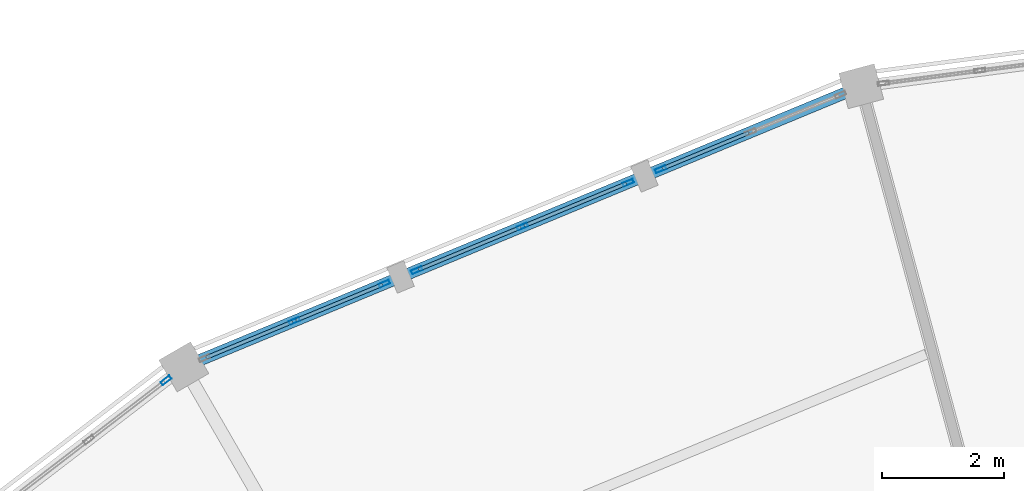
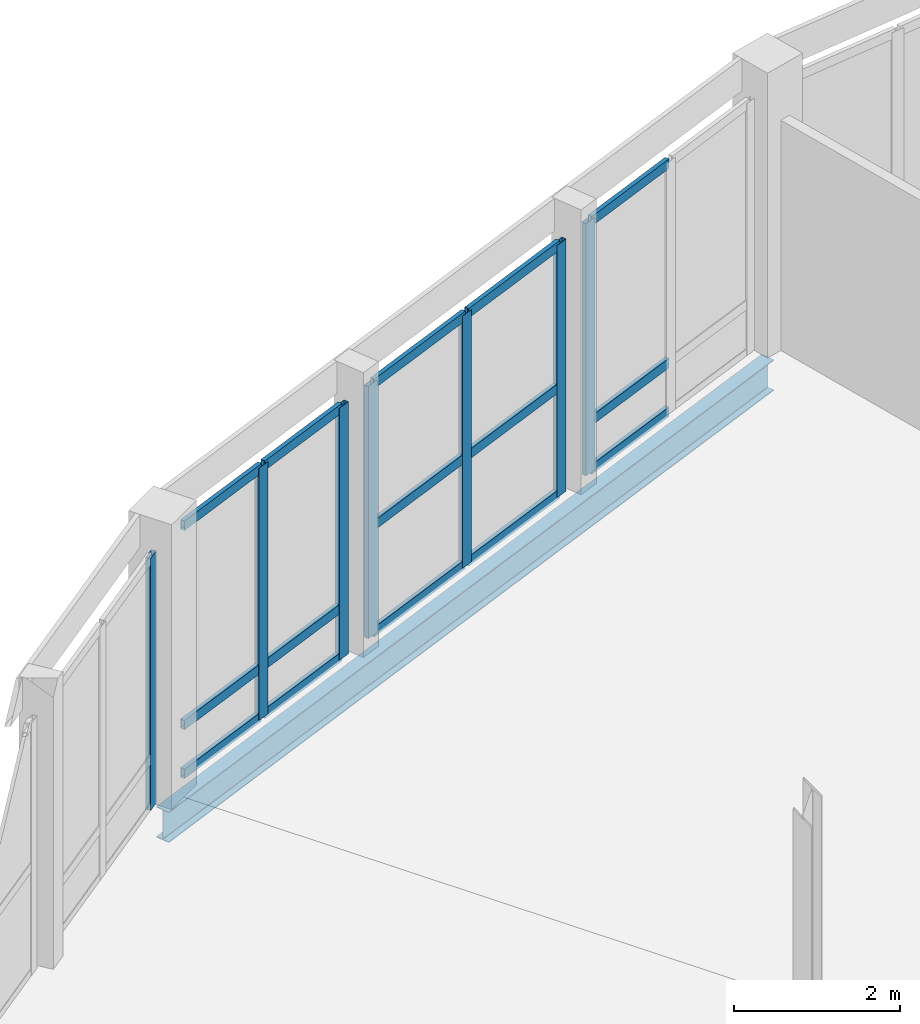
# One storey, part 87 of 185: 22 members, 1 beam, 4 elements without a shape of their own.
"""IFC4 building model written with IfcOpenShell, lengths in metres."""

from ifc_helpers import new_model, si_unit, direction, frame, origin, origin_2d, place, context, subcontext, project, spatial, hollow_rectangle, i_section, extrude, material, material_profile, profile_set, type_object, element, aggregate, save


model = new_model("IFC4")

# Units and contexts
model_context = context("Model", 3, precision=1e-05, world=origin(), true_north=direction((0.0, 1.0)))
body_context = subcontext(model_context, "Body", "Model", "MODEL_VIEW")
ifc_project = project(units=[si_unit("LENGTHUNIT", "METRE"), si_unit("AREAUNIT", "SQUARE_METRE"), si_unit("VOLUMEUNIT", "CUBIC_METRE"), si_unit("PLANEANGLEUNIT", "RADIAN"), si_unit("MASSUNIT", "GRAM", prefix="KILO")], contexts=[model_context])

# Site, building, storey
site_placement = place(None, origin())
site = spatial("IfcSite", under=ifc_project, at=site_placement, CompositionType="ELEMENT")
building_placement = place(site_placement, origin())
building = spatial("IfcBuilding", under=site, at=building_placement, Name="Vondelvale Polytechnic", CompositionType="ELEMENT")
storey_placement = place(building_placement, frame((0.0, 0.0, 9.60009765625)))
storey = spatial("IfcBuildingStorey", under=building, at=storey_placement, Name="L02", CompositionType="ELEMENT", Elevation=9.60009765625)

# Beam
ifc_material_1 = material(Name="Steel 300PLUS (fy = 300 MPa)", Category="steel")
ifc_material_profile_1 = material_profile(ifc_material_1, i_section(OverallWidth=0.18994140625, OverallDepth=0.45703125, WebThickness=0.009033203125, FlangeThickness=0.014404296875, FilletRadius=0.011474609375, at=origin_2d()), Name="460UB74.6")
ifc_profile_set_1 = profile_set([ifc_material_profile_1], Name="Steel 300PLUS (fy = 300 MPa)")
beam_type = type_object("IfcBeamType", Name="BM-UB460", PredefinedType="BEAM", material=ifc_profile_set_1)
beam_placement = place(storey_placement, frame((90.09423828125, 116.4326171875, -0.508544921875), z_axis=(-0.923877323614, -0.382688765072, 0.0), x_axis=(0.382688765072, -0.923877323614, 0.0)))
element("IfcBeam", 1, at=beam_placement, inside=storey, type_object=beam_type, Name="L02 RB B-13", PredefinedType="BEAM", context=body_context, shape_type="SweptSolid", body=[
    extrude(i_section(OverallWidth=0.18994140625, OverallDepth=0.45703125, WebThickness=0.009033203125, FlangeThickness=0.014404296875, FilletRadius=0.011474609375, at=origin_2d()), origin(), (0.0, 0.0, 1.0), 12.00830078125),
])

# Curtain wall, member
ifc_material_2 = material(Name="Glulam GL18 structural Tasmanian oak (fb = 42 MPa)", Category="wood")
curtain_wall_type = type_object("IfcCurtainWallType", Name="CW-RING-OUTER", PredefinedType="NOTDEFINED", material=ifc_material_2)
curtain_wall_1_placement = place(storey_placement, origin())
curtain_wall_1 = element("IfcCurtainWall", 2, at=curtain_wall_1_placement, inside=storey, type_object=curtain_wall_type, Name="L02 architectural curtain wall CW-04-180", PredefinedType="NOTDEFINED")
ifc_material_3 = material(Name="Anodised extruded aluminium 6063-T6", Category="aluminium")
ifc_material_profile_2 = material_profile(ifc_material_3, hollow_rectangle(XDim=0.06494140625, YDim=0.179931640625, WallThickness=0.00390625, at=origin_2d()), Name="CW-MUL-180x65")
ifc_profile_set_2 = profile_set([ifc_material_profile_2], Name="Anodised extruded aluminium 6063-T6")
member_type_1 = type_object("IfcMemberType", Name="CW-MUL-65x180", PredefinedType="MULLION", material=ifc_profile_set_2)
member_1_placement = place(storey_placement, frame((86.809814453125, 115.072021484375, 0.0), z_axis=(0.0, 0.0, 1.0), x_axis=(0.382677394529, -0.923882033442, 0.0)))
member_1 = element("IfcMember", 3, at=member_1_placement, type_object=member_type_1, Name="CW-04-180 mullion 3", PredefinedType="MULLION", context=body_context, shape_type="SweptSolid", body=[
    extrude(hollow_rectangle(XDim=0.06494140625, YDim=0.179931640625, WallThickness=0.00390625, at=origin_2d()), origin(), (0.0, 0.0, 1.0), 3.719970703125),
])

# Curtain wall, members
curtain_wall_2_placement = place(storey_placement, origin())
curtain_wall_2 = element("IfcCurtainWall", 4, at=curtain_wall_2_placement, inside=storey, type_object=curtain_wall_type, Name="L02 architectural curtain wall CW-04-181", PredefinedType="NOTDEFINED")
member_2_placement = place(storey_placement, frame((86.278564453125, 114.85205078125, 0.0), z_axis=(0.0, 0.0, 1.0), x_axis=(0.382694599123, -0.92387490701, 0.0)))
member_2 = element("IfcMember", 5, at=member_2_placement, type_object=member_type_1, Name="CW-04-181 mullion 1", PredefinedType="MULLION", context=body_context, shape_type="SweptSolid", body=[
    extrude(hollow_rectangle(XDim=0.06494140625, YDim=0.179931640625, WallThickness=0.00390625, at=origin_2d()), origin(), (0.0, 0.0, 1.0), 3.719970703125),
])
member_3_placement = place(storey_placement, frame((84.547119140625, 114.135009765625, 0.0), z_axis=(0.0, 0.0, 1.0), x_axis=(0.382694599123, -0.92387490701, 0.0)))
member_3 = element("IfcMember", 6, at=member_3_placement, type_object=member_type_1, Name="CW-04-181 mullion 2", PredefinedType="MULLION", context=body_context, shape_type="SweptSolid", body=[
    extrude(hollow_rectangle(XDim=0.06494140625, YDim=0.179931640625, WallThickness=0.00390625, at=origin_2d()), origin(), (0.0, 0.0, 1.0), 3.719970703125),
])
member_4_placement = place(storey_placement, frame((82.81591796875, 113.417724609375, 0.0), z_axis=(0.0, 0.0, 1.0), x_axis=(0.382694599123, -0.92387490701, 0.0)))
member_4 = element("IfcMember", 7, at=member_4_placement, type_object=member_type_1, Name="CW-04-181 mullion 3", PredefinedType="MULLION", context=body_context, shape_type="SweptSolid", body=[
    extrude(hollow_rectangle(XDim=0.06494140625, YDim=0.179931640625, WallThickness=0.00390625, at=origin_2d()), origin(), (0.0, 0.0, 1.0), 3.719970703125),
])

curtain_wall_3_placement = place(storey_placement, origin())
curtain_wall_3 = element("IfcCurtainWall", 8, at=curtain_wall_3_placement, inside=storey, type_object=curtain_wall_type, Name="L02 architectural curtain wall CW-04-182", PredefinedType="NOTDEFINED")
member_5_placement = place(storey_placement, frame((82.28466796875, 113.19775390625, 0.0), z_axis=(0.0, 0.0, 1.0), x_axis=(0.382677394529, -0.923882033442, 0.0)))
member_5 = element("IfcMember", 9, at=member_5_placement, type_object=member_type_1, Name="CW-04-182 mullion 1", PredefinedType="MULLION", context=body_context, shape_type="SweptSolid", body=[
    extrude(hollow_rectangle(XDim=0.06494140625, YDim=0.179931640625, WallThickness=0.00390625, at=origin_2d()), origin(), (0.0, 0.0, 1.0), 3.719970703125),
])
member_6_placement = place(storey_placement, frame((80.81103515625, 112.58740234375, 0.0), z_axis=(0.0, 0.0, 1.0), x_axis=(0.382677394529, -0.923882033442, 0.0)))
member_6 = element("IfcMember", 10, at=member_6_placement, type_object=member_type_1, Name="CW-04-182 mullion 2", PredefinedType="MULLION", context=body_context, shape_type="SweptSolid", body=[
    extrude(hollow_rectangle(XDim=0.06494140625, YDim=0.179931640625, WallThickness=0.00390625, at=origin_2d()), origin(), (0.0, 0.0, 1.0), 3.719970703125),
])

# Curtain wall, member
curtain_wall_4_placement = place(storey_placement, origin())
curtain_wall_4 = element("IfcCurtainWall", 11, at=curtain_wall_4_placement, inside=storey, type_object=curtain_wall_type, Name="L02 architectural curtain wall CW-04-199", PredefinedType="NOTDEFINED")
member_7_placement = place(storey_placement, frame((78.710205078125, 111.614990234375, 0.0), z_axis=(0.0, 0.0, 1.0), x_axis=(0.608786860133, -0.793333825656, 0.0)))
member_7 = element("IfcMember", 12, at=member_7_placement, type_object=member_type_1, Name="CW-04-199 mullion 1", PredefinedType="MULLION", context=body_context, shape_type="SweptSolid", body=[
    extrude(hollow_rectangle(XDim=0.06494140625, YDim=0.179931640625, WallThickness=0.00390625, at=origin_2d()), origin(), (0.0, 0.0, 1.0), 3.719970703125),
])
aggregate(curtain_wall_4, [member_7])

# Member
ifc_material_profile_3 = material_profile(ifc_material_3, hollow_rectangle(XDim=0.06005859375, YDim=0.139892578125, WallThickness=0.00341796875, at=origin_2d()), Name="CW-TRN-140x60")
ifc_profile_set_3 = profile_set([ifc_material_profile_3], Name="Anodised extruded aluminium 6063-T6")
member_type_2 = type_object("IfcMemberType", Name="CW-TRN-60x140", PredefinedType="USERDEFINED", material=ifc_profile_set_3)
member_8_placement = place(storey_placement, frame((88.253173828125, 115.670166015625, 0.02978515625), z_axis=(-0.923816459452, -0.382835668721, 0.0), x_axis=(0.382835668721, -0.923816459452, 0.0)))
member_8 = element("IfcMember", 13, at=member_8_placement, type_object=member_type_2, Name="CW-04-180 transom 2.1", ObjectType="TRANSOM", PredefinedType="USERDEFINED", context=body_context, shape_type="SweptSolid", body=[
    extrude(hollow_rectangle(XDim=0.06005859375, YDim=0.139892578125, WallThickness=0.00341796875, at=origin_2d()), origin(), (0.0, 0.0, 1.0), 1.52978515625),
])

member_9_placement = place(storey_placement, frame((88.253173828125, 115.670166015625, 0.75), z_axis=(-0.923816459452, -0.382835668721, 0.0), x_axis=(0.382835668721, -0.923816459452, 0.0)))
member_9 = element("IfcMember", 14, at=member_9_placement, type_object=member_type_2, Name="CW-04-180 transom 2.2", ObjectType="TRANSOM", PredefinedType="USERDEFINED", context=body_context, shape_type="SweptSolid", body=[
    extrude(hollow_rectangle(XDim=0.06005859375, YDim=0.139892578125, WallThickness=0.00341796875, at=origin_2d()), origin(), (0.0, 0.0, 1.0), 1.52978515625),
])

member_10_placement = place(storey_placement, frame((88.253173828125, 115.670166015625, 3.68994140625), z_axis=(-0.923816459452, -0.382835668721, 0.0), x_axis=(0.382835668721, -0.923816459452, 0.0)))
member_10 = element("IfcMember", 15, at=member_10_placement, type_object=member_type_2, Name="CW-04-180 transom 2.3", ObjectType="TRANSOM", PredefinedType="USERDEFINED", context=body_context, shape_type="SweptSolid", body=[
    extrude(hollow_rectangle(XDim=0.06005859375, YDim=0.139892578125, WallThickness=0.00341796875, at=origin_2d()), origin(), (0.0, 0.0, 1.0), 1.52978515625),
])

aggregate(curtain_wall_1, [member_1, member_8, member_9, member_10])

member_11_placement = place(storey_placement, frame((86.24853515625, 114.839599609375, 0.02978515625), z_axis=(-0.923865506878, -0.382717291485, 0.0), x_axis=(0.382717291485, -0.923865506878, 0.0)))
member_11 = element("IfcMember", 16, at=member_11_placement, type_object=member_type_2, Name="CW-04-181 transom 1.1", ObjectType="TRANSOM", PredefinedType="USERDEFINED", context=body_context, shape_type="SweptSolid", body=[
    extrude(hollow_rectangle(XDim=0.06005859375, YDim=0.139892578125, WallThickness=0.00341796875, at=origin_2d()), origin(), (0.0, 0.0, 1.0), 1.80908203125),
])

member_12_placement = place(storey_placement, frame((86.24853515625, 114.839599609375, 1.599853515625), z_axis=(-0.923865506878, -0.382717291485, 0.0), x_axis=(0.382717291485, -0.923865506878, 0.0)))
member_12 = element("IfcMember", 17, at=member_12_placement, type_object=member_type_2, Name="CW-04-181 transom 1.2", ObjectType="TRANSOM", PredefinedType="USERDEFINED", context=body_context, shape_type="SweptSolid", body=[
    extrude(hollow_rectangle(XDim=0.06005859375, YDim=0.139892578125, WallThickness=0.00341796875, at=origin_2d()), origin(), (0.0, 0.0, 1.0), 1.80908203125),
])

member_13_placement = place(storey_placement, frame((86.24853515625, 114.839599609375, 3.68994140625), z_axis=(-0.923865506878, -0.382717291485, 0.0), x_axis=(0.382717291485, -0.923865506878, 0.0)))
member_13 = element("IfcMember", 18, at=member_13_placement, type_object=member_type_2, Name="CW-04-181 transom 1.3", ObjectType="TRANSOM", PredefinedType="USERDEFINED", context=body_context, shape_type="SweptSolid", body=[
    extrude(hollow_rectangle(XDim=0.06005859375, YDim=0.139892578125, WallThickness=0.00341796875, at=origin_2d()), origin(), (0.0, 0.0, 1.0), 1.80908203125),
])

member_14_placement = place(storey_placement, frame((84.51708984375, 114.12255859375, 0.02978515625), z_axis=(-0.92384573676, -0.382765012338, 0.0), x_axis=(0.382765012338, -0.92384573676, 0.0)))
member_14 = element("IfcMember", 19, at=member_14_placement, type_object=member_type_2, Name="CW-04-181 transom 2.1", ObjectType="TRANSOM", PredefinedType="USERDEFINED", context=body_context, shape_type="SweptSolid", body=[
    extrude(hollow_rectangle(XDim=0.06005859375, YDim=0.139892578125, WallThickness=0.00341796875, at=origin_2d()), origin(), (0.0, 0.0, 1.0), 1.808837890625),
])

member_15_placement = place(storey_placement, frame((84.51708984375, 114.12255859375, 1.599853515625), z_axis=(-0.92384573676, -0.382765012338, 0.0), x_axis=(0.382765012338, -0.92384573676, 0.0)))
member_15 = element("IfcMember", 20, at=member_15_placement, type_object=member_type_2, Name="CW-04-181 transom 2.2", ObjectType="TRANSOM", PredefinedType="USERDEFINED", context=body_context, shape_type="SweptSolid", body=[
    extrude(hollow_rectangle(XDim=0.06005859375, YDim=0.139892578125, WallThickness=0.00341796875, at=origin_2d()), origin(), (0.0, 0.0, 1.0), 1.808837890625),
])

member_16_placement = place(storey_placement, frame((84.51708984375, 114.12255859375, 3.68994140625), z_axis=(-0.92384573676, -0.382765012338, 0.0), x_axis=(0.382765012338, -0.92384573676, 0.0)))
member_16 = element("IfcMember", 21, at=member_16_placement, type_object=member_type_2, Name="CW-04-181 transom 2.3", ObjectType="TRANSOM", PredefinedType="USERDEFINED", context=body_context, shape_type="SweptSolid", body=[
    extrude(hollow_rectangle(XDim=0.06005859375, YDim=0.139892578125, WallThickness=0.00341796875, at=origin_2d()), origin(), (0.0, 0.0, 1.0), 1.808837890625),
])

aggregate(curtain_wall_2, [member_2, member_3, member_4, member_11, member_12, member_13, member_14, member_15, member_16])

member_17_placement = place(storey_placement, frame((82.254638671875, 113.185302734375, 0.02978515625), z_axis=(-0.923896260346, -0.382643045304, 0.0), x_axis=(0.382643045304, -0.923896260346, 0.0)))
member_17 = element("IfcMember", 22, at=member_17_placement, type_object=member_type_2, Name="CW-04-182 transom 1.1", ObjectType="TRANSOM", PredefinedType="USERDEFINED", context=body_context, shape_type="SweptSolid", body=[
    extrude(hollow_rectangle(XDim=0.06005859375, YDim=0.139892578125, WallThickness=0.00341796875, at=origin_2d()), origin(), (0.0, 0.0, 1.0), 1.530029296875),
])

member_18_placement = place(storey_placement, frame((82.254638671875, 113.185302734375, 0.75), z_axis=(-0.923896260346, -0.382643045304, 0.0), x_axis=(0.382643045304, -0.923896260346, 0.0)))
member_18 = element("IfcMember", 23, at=member_18_placement, type_object=member_type_2, Name="CW-04-182 transom 1.2", ObjectType="TRANSOM", PredefinedType="USERDEFINED", context=body_context, shape_type="SweptSolid", body=[
    extrude(hollow_rectangle(XDim=0.06005859375, YDim=0.139892578125, WallThickness=0.00341796875, at=origin_2d()), origin(), (0.0, 0.0, 1.0), 1.530029296875),
])

member_19_placement = place(storey_placement, frame((82.254638671875, 113.185302734375, 3.68994140625), z_axis=(-0.923896260346, -0.382643045304, 0.0), x_axis=(0.382643045304, -0.923896260346, 0.0)))
member_19 = element("IfcMember", 24, at=member_19_placement, type_object=member_type_2, Name="CW-04-182 transom 1.3", ObjectType="TRANSOM", PredefinedType="USERDEFINED", context=body_context, shape_type="SweptSolid", body=[
    extrude(hollow_rectangle(XDim=0.06005859375, YDim=0.139892578125, WallThickness=0.00341796875, at=origin_2d()), origin(), (0.0, 0.0, 1.0), 1.530029296875),
])

member_20_placement = place(storey_placement, frame((80.781005859375, 112.574951171875, 0.02978515625), z_axis=(-0.923839843027, -0.382779237206, 0.0), x_axis=(0.382779237206, -0.923839843027, 0.0)))
member_20 = element("IfcMember", 25, at=member_20_placement, type_object=member_type_2, Name="CW-04-182 transom 2.1", ObjectType="TRANSOM", PredefinedType="USERDEFINED", context=body_context, shape_type="SweptSolid", body=[
    extrude(hollow_rectangle(XDim=0.06005859375, YDim=0.139892578125, WallThickness=0.00341796875, at=origin_2d()), origin(), (0.0, 0.0, 1.0), 1.530029296875),
])

member_21_placement = place(storey_placement, frame((80.781005859375, 112.574951171875, 0.75), z_axis=(-0.923839843027, -0.382779237206, 0.0), x_axis=(0.382779237206, -0.923839843027, 0.0)))
member_21 = element("IfcMember", 26, at=member_21_placement, type_object=member_type_2, Name="CW-04-182 transom 2.2", ObjectType="TRANSOM", PredefinedType="USERDEFINED", context=body_context, shape_type="SweptSolid", body=[
    extrude(hollow_rectangle(XDim=0.06005859375, YDim=0.139892578125, WallThickness=0.00341796875, at=origin_2d()), origin(), (0.0, 0.0, 1.0), 1.530029296875),
])

member_22_placement = place(storey_placement, frame((80.781005859375, 112.574951171875, 3.68994140625), z_axis=(-0.923839843027, -0.382779237206, 0.0), x_axis=(0.382779237206, -0.923839843027, 0.0)))
member_22 = element("IfcMember", 27, at=member_22_placement, type_object=member_type_2, Name="CW-04-182 transom 2.3", ObjectType="TRANSOM", PredefinedType="USERDEFINED", context=body_context, shape_type="SweptSolid", body=[
    extrude(hollow_rectangle(XDim=0.06005859375, YDim=0.139892578125, WallThickness=0.00341796875, at=origin_2d()), origin(), (0.0, 0.0, 1.0), 1.530029296875),
])

aggregate(curtain_wall_3, [member_5, member_6, member_17, member_18, member_19, member_20, member_21, member_22])

save(model, "model.ifc")
